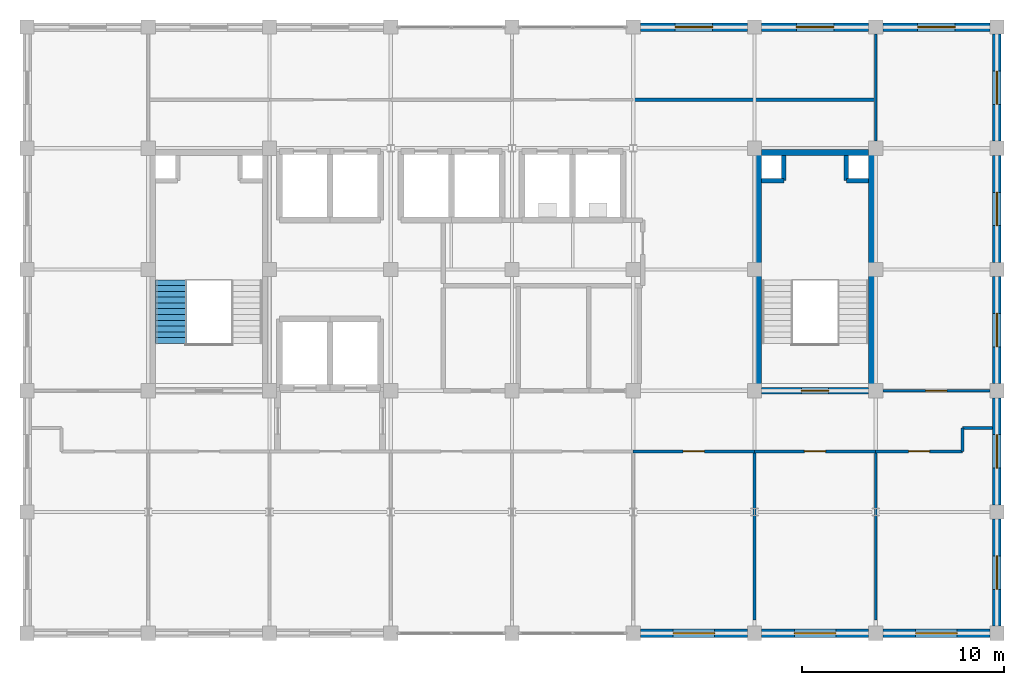
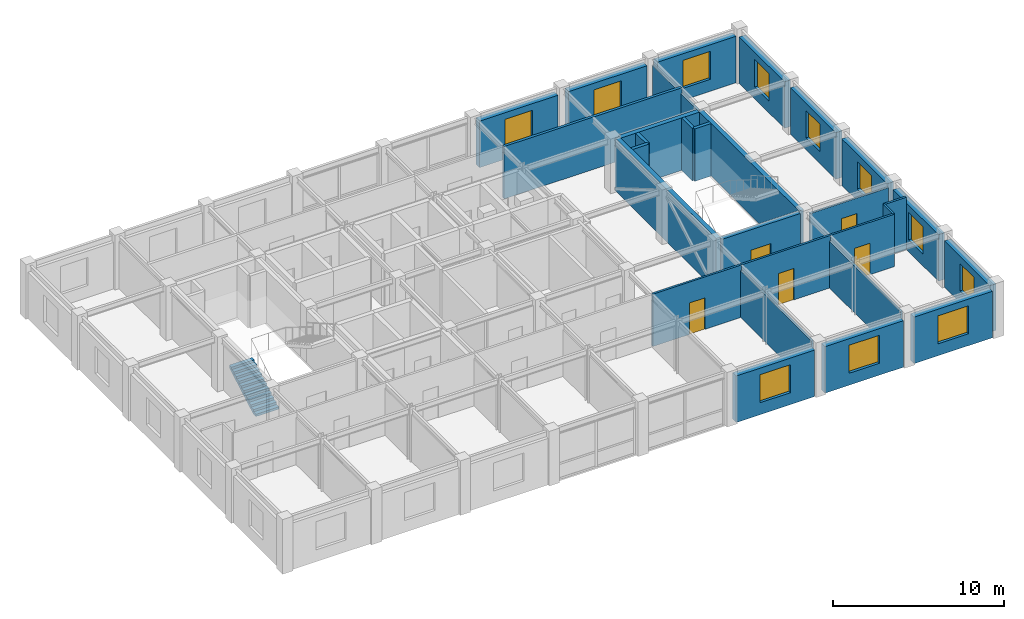
# One storey, part 10 of 12: 29 walls, 11 windows, 5 doors, 1 stair flight, 16 openings, 1 element without a shape of its own.
"""IFC4 building model written with IfcOpenShell, lengths in metres."""

from ifc_helpers import new_model, si_unit, direction, frame, frame_2d, origin, place, context, subcontext, project, spatial, polyline, rectangle, outline, extrude, material, layer, layer_set, type_object, element, fill, aggregate, save


model = new_model("IFC4")

# Units and contexts
model_context = context("Model", 3, precision=1e-05, world=origin(), true_north=direction((0.0, 1.0)))
body_context = subcontext(model_context, "Body", "Model", "MODEL_VIEW")
ifc_project = project(units=[si_unit("LENGTHUNIT", "METRE"), si_unit("AREAUNIT", "SQUARE_METRE"), si_unit("VOLUMEUNIT", "CUBIC_METRE"), si_unit("PLANEANGLEUNIT", "RADIAN"), si_unit("MASSUNIT", "GRAM", prefix="KILO")], contexts=[model_context])

# Site, building, storey
site_placement = place(None, origin())
site = spatial("IfcSite", under=ifc_project, at=site_placement, CompositionType="ELEMENT")
building_placement = place(site_placement, origin())
building = spatial("IfcBuilding", under=site, at=building_placement, Name="Zlatovratsky Civic Hall", CompositionType="ELEMENT")
storey_placement = place(building_placement, frame((0.0, 0.0, 40.5)))
storey = spatial("IfcBuildingStorey", under=building, at=storey_placement, Name="L10", CompositionType="ELEMENT", Elevation=40.5)

# Wall
ifc_material_1 = material(Name="Acoustic ceramic blockwork", Category="masonry")
ifc_layer_1 = layer(ifc_material_1, 0.179931640625)
ifc_layer_set_1 = layer_set([ifc_layer_1], Name="Acoustic ceramic blockwork")
wall_type_1 = type_object("IfcWallType", Name="Wall_AcousticChamberPartition_180", PredefinedType="PARTITIONING", material=ifc_layer_set_1)
wall_1_placement = place(storey_placement, frame((90.0, 98.39990234375, 0.0), z_axis=(0.0, 0.0, 1.0), x_axis=(1.0, 0.0, 0.0)))
element("IfcWall", 1, at=wall_1_placement, inside=storey, type_object=wall_type_1, Name="WL-6520", PredefinedType="PARTITIONING", context=body_context, shape_type="SweptSolid", body=[
    extrude(rectangle(XDim=12.0, YDim=0.179931640625, at=frame_2d((6.0, 0.0))), origin(), (0.0, 0.0, 1.0), 3.739990234375),
])

# Wall, opening, door
ifc_material_2 = material(Name="Fire-rated gypsum board framing", Category="gypsum")
ifc_layer_2 = layer(ifc_material_2, 0.139892578125)
ifc_layer_set_2 = layer_set([ifc_layer_2], Name="Fire-rated gypsum board framing")
wall_type_2 = type_object("IfcWallType", Name="Wall_OfficePartition_140", PredefinedType="PARTITIONING", material=ifc_layer_set_2)
wall_2_placement = place(storey_placement, frame((90.0, 81.0, 0.0), z_axis=(0.0, 0.0, 1.0), x_axis=(1.0, 0.0, 0.0)))
wall_2 = element("IfcWall", 2, at=wall_2_placement, inside=storey, type_object=wall_type_2, Name="WL-6494", PredefinedType="PARTITIONING", context=body_context, shape_type="SweptSolid", body=[
    extrude(rectangle(XDim=6.0, YDim=0.139892578125, at=frame_2d((3.0, 0.0))), origin(), (0.0, 0.0, 1.0), 3.739990234375),
])
opening_1_placement = place(wall_2_placement, frame((2.47509765625, 0.0, 0.0)))
opening_1 = element("IfcOpeningElement", 3, at=opening_1_placement, cuts=wall_2, Name="Opening D-24", PredefinedType="OPENING", context=body_context, shape_type="SweptSolid", body=[
    extrude(rectangle(XDim=1.050048828125, YDim=2.25, at=frame_2d((0.52490234375, 1.125))), frame((0.0, 0.0849609375, 0.0), z_axis=(0.0, -1.0, 0.0), x_axis=(1.0, 0.0, 0.0)), (0.0, 0.0, 1.0), 0.169677734375),
])
ifc_material_3 = material(Name="Solid oak joinery in steel frame", Category="steel")
door_type_1 = type_object("IfcDoorType", Name="Door_DirectorateOffice_1050x2250", OperationType="NOTDEFINED", PredefinedType="DOOR", material=ifc_material_3)
door_1_placement = place(opening_1_placement, origin())
door_1 = element("IfcDoor", 4, at=door_1_placement, inside=storey, type_object=door_type_1, Name="DR-5443", OperationType="SINGLE_SWING_RIGHT", OverallHeight=2.25, OverallWidth=1.050048828125, PredefinedType="DOOR", context=body_context, shape_type="SweptSolid", body=[
    extrude(rectangle(XDim=1.050048828125, YDim=2.25, at=frame_2d((0.52490234375, 1.125))), frame((0.0, 0.02490234375, 0.0), z_axis=(0.0, -1.0, 0.0), x_axis=(1.0, 0.0, 0.0)), (0.0, 0.0, 1.0), 0.050048828125),
])
fill(opening_1, door_1)

wall_3_placement = place(storey_placement, frame((96.0, 81.0, 0.0), z_axis=(0.0, 0.0, 1.0), x_axis=(1.0, 0.0, 0.0)))
wall_3 = element("IfcWall", 5, at=wall_3_placement, inside=storey, type_object=wall_type_2, Name="WL-6495", PredefinedType="PARTITIONING", context=body_context, shape_type="SweptSolid", body=[
    extrude(rectangle(XDim=6.0, YDim=0.139892578125, at=frame_2d((3.0, 0.0))), origin(), (0.0, 0.0, 1.0), 3.739990234375),
])
opening_2_placement = place(wall_3_placement, frame((2.47509765625, 0.0, 0.0)))
opening_2 = element("IfcOpeningElement", 6, at=opening_2_placement, cuts=wall_3, Name="Opening D-24", PredefinedType="OPENING", context=body_context, shape_type="SweptSolid", body=[
    extrude(rectangle(XDim=1.050048828125, YDim=2.25, at=frame_2d((0.52490234375, 1.125))), frame((0.0, 0.0849609375, 0.0), z_axis=(0.0, -1.0, 0.0), x_axis=(1.0, 0.0, 0.0)), (0.0, 0.0, 1.0), 0.169677734375),
])
door_2_placement = place(opening_2_placement, origin())
door_2 = element("IfcDoor", 7, at=door_2_placement, inside=storey, type_object=door_type_1, Name="DR-5444", OperationType="SINGLE_SWING_RIGHT", OverallHeight=2.25, OverallWidth=1.050048828125, PredefinedType="DOOR", context=body_context, shape_type="SweptSolid", body=[
    extrude(rectangle(XDim=1.050048828125, YDim=2.25, at=frame_2d((0.52490234375, 1.125))), frame((0.0, 0.02490234375, 0.0), z_axis=(0.0, -1.0, 0.0), x_axis=(1.0, 0.0, 0.0)), (0.0, 0.0, 1.0), 0.050048828125),
])
fill(opening_2, door_2)

wall_4_placement = place(storey_placement, frame((102.0, 81.0, 0.0), z_axis=(0.0, 0.0, 1.0), x_axis=(1.0, 0.0, 0.0)))
wall_4 = element("IfcWall", 8, at=wall_4_placement, inside=storey, type_object=wall_type_2, Name="WL-6496", PredefinedType="PARTITIONING", context=body_context, shape_type="SweptSolid", body=[
    extrude(rectangle(XDim=4.300048828125, YDim=0.139892578125, at=frame_2d((2.14990234375, 0.0))), origin(), (0.0, 0.0, 1.0), 3.739990234375),
])
opening_3_placement = place(wall_4_placement, frame((1.625, 0.0, 0.0)))
opening_3 = element("IfcOpeningElement", 9, at=opening_3_placement, cuts=wall_4, Name="Opening D-24", PredefinedType="OPENING", context=body_context, shape_type="SweptSolid", body=[
    extrude(rectangle(XDim=1.050048828125, YDim=2.25, at=frame_2d((0.52490234375, 1.125))), frame((0.0, 0.0849609375, 0.0), z_axis=(0.0, -1.0, 0.0), x_axis=(1.0, 0.0, 0.0)), (0.0, 0.0, 1.0), 0.169677734375),
])
door_3_placement = place(opening_3_placement, origin())
door_3 = element("IfcDoor", 10, at=door_3_placement, inside=storey, type_object=door_type_1, Name="DR-5445", OperationType="SINGLE_SWING_RIGHT", OverallHeight=2.25, OverallWidth=1.050048828125, PredefinedType="DOOR", context=body_context, shape_type="SweptSolid", body=[
    extrude(rectangle(XDim=1.050048828125, YDim=2.25, at=frame_2d((0.52490234375, 1.125))), frame((0.0, 0.02490234375, 0.0), z_axis=(0.0, -1.0, 0.0), x_axis=(1.0, 0.0, 0.0)), (0.0, 0.0, 1.0), 0.050048828125),
])
fill(opening_3, door_3)

wall_5_placement = place(storey_placement, frame((102.35009765625, 84.0, 0.0), z_axis=(0.0, 0.0, 1.0), x_axis=(1.0, 0.0, 0.0)))
wall_5 = element("IfcWall", 11, at=wall_5_placement, inside=storey, type_object=wall_type_2, Name="WL-6498", PredefinedType="PARTITIONING", context=body_context, shape_type="SweptSolid", body=[
    extrude(rectangle(XDim=5.2998046875, YDim=0.139892578125, at=frame_2d((2.64990234375, 0.0))), origin(), (0.0, 0.0, 1.0), 3.347900390625),
])
opening_4_placement = place(wall_5_placement, frame((2.125, 0.0, 0.0)))
opening_4 = element("IfcOpeningElement", 12, at=opening_4_placement, cuts=wall_5, Name="Opening D-24", PredefinedType="OPENING", context=body_context, shape_type="SweptSolid", body=[
    extrude(rectangle(XDim=1.050048828125, YDim=2.25, at=frame_2d((0.52490234375, 1.125))), frame((0.0, 0.0849609375, 0.0), z_axis=(0.0, -1.0, 0.0), x_axis=(1.0, 0.0, 0.0)), (0.0, 0.0, 1.0), 0.169677734375),
])
door_4_placement = place(opening_4_placement, origin())
door_4 = element("IfcDoor", 13, at=door_4_placement, inside=storey, type_object=door_type_1, Name="DR-5447", OperationType="SINGLE_SWING_LEFT", OverallHeight=2.25, OverallWidth=1.050048828125, PredefinedType="DOOR", context=body_context, shape_type="SweptSolid", body=[
    extrude(rectangle(XDim=1.050048828125, YDim=2.25, at=frame_2d((0.52490234375, 1.125))), frame((0.0, 0.02490234375, 0.0), z_axis=(0.0, -1.0, 0.0), x_axis=(1.0, 0.0, 0.0)), (0.0, 0.0, 1.0), 0.050048828125),
])
fill(opening_4, door_4)

# Walls
for number, where, z_axis, x_axis, name in (
    (14, (96.0, 72.64990234375, 0.0), (0.0, 0.0, 1.0), (0.0, 1.0, 0.0), "WL-6506"),
    (15, (102.0, 72.64990234375, 0.0), (0.0, 0.0, 1.0), (0.0, 1.0, 0.0), "WL-6507"),
):
    element("IfcWall", number, at=place(storey_placement, frame(where, z_axis=z_axis, x_axis=x_axis)), inside=storey, type_object=wall_type_2, Name=name, PredefinedType="PARTITIONING", context=body_context, shape_type="SweptSolid", body=[
        extrude(rectangle(XDim=8.35009765625, YDim=0.139892578125, at=frame_2d((4.175048828125, 0.0))), origin(), (0.0, 0.0, 1.0), 3.347900390625),
    ])
wall_6_placement = place(storey_placement, frame((106.300048828125, 81.0, 0.0), z_axis=(0.0, 0.0, 1.0), x_axis=(0.0, 1.0, 0.0)))
element("IfcWall", 16, at=wall_6_placement, inside=storey, type_object=wall_type_2, Name="WL-6516", PredefinedType="PARTITIONING", context=body_context, shape_type="SweptSolid", body=[
    extrude(rectangle(XDim=1.14990234375, YDim=0.139892578125, at=frame_2d((0.574951171875, 0.0))), origin(), (0.0, 0.0, 1.0), 3.739990234375),
])
wall_7_placement = place(storey_placement, frame((106.300048828125, 82.14990234375, 0.0), z_axis=(0.0, 0.0, 1.0), x_axis=(1.0, 0.0, 0.0)))
element("IfcWall", 17, at=wall_7_placement, inside=storey, type_object=wall_type_2, Name="WL-6517", PredefinedType="PARTITIONING", context=body_context, shape_type="SweptSolid", body=[
    extrude(rectangle(XDim=1.489990234375, YDim=0.139892578125, at=frame_2d((0.7451171875, 0.0))), origin(), (0.0, 0.0, 1.0), 3.739990234375),
])
wall_8_placement = place(storey_placement, frame((102.0, 96.35009765625, 0.0), z_axis=(0.0, 0.0, 1.0), x_axis=(0.0, 1.0, 0.0)))
element("IfcWall", 18, at=wall_8_placement, inside=storey, type_object=wall_type_2, Name="WL-6522", PredefinedType="PARTITIONING", context=body_context, shape_type="SweptSolid", body=[
    extrude(rectangle(XDim=5.2998046875, YDim=0.139892578125, at=frame_2d((2.64990234375, 0.0))), origin(), (0.0, 0.0, 1.0), 3.347900390625),
])
ifc_layer_3 = layer(ifc_material_1, 0.219970703125)
ifc_layer_set_3 = layer_set([ifc_layer_3], Name="Acoustic ceramic blockwork")
wall_type_3 = type_object("IfcWallType", Name="Wall_SanitaryWetCore_220", PredefinedType="PARTITIONING", material=ifc_layer_set_3)
wall_9_placement = place(storey_placement, frame((97.449951171875, 94.39990234375, 0.0), z_axis=(0.0, 0.0, 1.0), x_axis=(0.0, 1.0, 0.0)))
element("IfcWall", 19, at=wall_9_placement, inside=storey, type_object=wall_type_3, Name="WL-5243", PredefinedType="PARTITIONING", context=body_context, shape_type="SweptSolid", body=[
    extrude(rectangle(XDim=1.25, YDim=0.219970703125, at=frame_2d((0.625, 0.0))), origin(), (0.0, 0.0, 1.0), 3.739990234375),
])
wall_10_placement = place(storey_placement, frame((96.35009765625, 94.39990234375, 0.0), z_axis=(0.0, 0.0, 1.0), x_axis=(1.0, 0.0, 0.0)))
element("IfcWall", 20, at=wall_10_placement, inside=storey, type_object=wall_type_3, Name="WL-5244", PredefinedType="PARTITIONING", context=body_context, shape_type="SweptSolid", body=[
    extrude(rectangle(XDim=1.099853515625, YDim=0.219970703125, at=frame_2d((0.5498046875, 0.0))), origin(), (0.0, 0.0, 1.0), 3.739990234375),
])
wall_11_placement = place(storey_placement, frame((100.550048828125, 94.39990234375, 0.0), z_axis=(0.0, 0.0, 1.0), x_axis=(0.0, 1.0, 0.0)))
element("IfcWall", 21, at=wall_11_placement, inside=storey, type_object=wall_type_3, Name="WL-5245", PredefinedType="PARTITIONING", context=body_context, shape_type="SweptSolid", body=[
    extrude(rectangle(XDim=1.25, YDim=0.219970703125, at=frame_2d((0.625, 0.0))), origin(), (0.0, 0.0, 1.0), 3.739990234375),
])
wall_12_placement = place(storey_placement, frame((100.550048828125, 94.39990234375, 0.0), z_axis=(0.0, 0.0, 1.0), x_axis=(1.0, 0.0, 0.0)))
element("IfcWall", 22, at=wall_12_placement, inside=storey, type_object=wall_type_3, Name="WL-5246", PredefinedType="PARTITIONING", context=body_context, shape_type="SweptSolid", body=[
    extrude(rectangle(XDim=1.099853515625, YDim=0.219970703125, at=frame_2d((0.5498046875, 0.0))), origin(), (0.0, 0.0, 1.0), 3.739990234375),
])

# Wall, opening, door
ifc_material_4 = material(Name="Concrete C35/45 (B40)", Category="concrete")
ifc_layer_4 = layer(ifc_material_4, 0.300048828125)
ifc_layer_set_4 = layer_set([ifc_layer_4], Name="Concrete C35/45 (B40)")
wall_type_4 = type_object("IfcWallType", Name="Wall_StairAndLiftShaft_300", PredefinedType="SHEAR", material=ifc_layer_set_4)
wall_13_placement = place(storey_placement, frame((96.35009765625, 84.0, 0.0), z_axis=(0.0, 0.0, 1.0), x_axis=(1.0, 0.0, 0.0)))
wall_13 = element("IfcWall", 23, at=wall_13_placement, inside=storey, type_object=wall_type_4, Name="WL-5239", PredefinedType="SHEAR", context=body_context, shape_type="SweptSolid", body=[
    extrude(rectangle(XDim=5.2998046875, YDim=0.300048828125, at=frame_2d((2.64990234375, 0.0))), origin(), (0.0, 0.0, 1.0), 3.659912109375),
])
opening_5_placement = place(wall_13_placement, frame((1.97509765625, 0.0, 0.0)))
opening_5 = element("IfcOpeningElement", 24, at=opening_5_placement, cuts=wall_13, Name="Opening D-17", PredefinedType="OPENING", context=body_context, shape_type="SweptSolid", body=[
    extrude(rectangle(XDim=1.35009765625, YDim=2.199951171875, at=frame_2d((0.675048828125, 1.10009765625))), frame((0.0, 0.1650390625, 0.0), z_axis=(0.0, -1.0, 0.0), x_axis=(1.0, 0.0, 0.0)), (0.0, 0.0, 1.0), 0.329833984375),
])
ifc_material_5 = material(Name="Insulated painted fire-rated steel leaf", Category="steel")
door_type_2 = type_object("IfcDoorType", Name="Door_StairwellFireTower_1350x2200", OperationType="NOTDEFINED", PredefinedType="DOOR", material=ifc_material_5)
door_5_placement = place(opening_5_placement, origin())
door_5 = element("IfcDoor", 25, at=door_5_placement, inside=storey, type_object=door_type_2, Name="DR-5030", OperationType="SINGLE_SWING_LEFT", OverallHeight=2.199951171875, OverallWidth=1.35009765625, PredefinedType="DOOR", context=body_context, shape_type="SweptSolid", body=[
    extrude(rectangle(XDim=1.35009765625, YDim=2.199951171875, at=frame_2d((0.675048828125, 1.10009765625))), frame((0.0, 0.02490234375, 0.0), z_axis=(0.0, -1.0, 0.0), x_axis=(1.0, 0.0, 0.0)), (0.0, 0.0, 1.0), 0.050048828125),
])
fill(opening_5, door_5)

# Walls
wall_14_placement = place(storey_placement, frame((96.35009765625, 95.800048828125, 0.0), z_axis=(0.0, 0.0, 1.0), x_axis=(1.0, 0.0, 0.0)))
element("IfcWall", 26, at=wall_14_placement, inside=storey, type_object=wall_type_4, Name="WL-5240", PredefinedType="SHEAR", context=body_context, shape_type="SweptSolid", body=[
    extrude(rectangle(XDim=5.2998046875, YDim=0.300048828125, at=frame_2d((2.64990234375, 0.0))), origin(), (0.0, 0.0, 1.0), 3.739990234375),
])
for number, where, z_axis, x_axis, name in (
    (27, (96.199951171875, 84.0, 0.0), (0.0, 0.0, 1.0), (0.0, 1.0, 0.0), "WL-5241"),
    (28, (101.800048828125, 84.0, 0.0), (0.0, 0.0, 1.0), (0.0, 1.0, 0.0), "WL-5242"),
):
    element("IfcWall", number, at=place(storey_placement, frame(where, z_axis=z_axis, x_axis=x_axis)), inside=storey, type_object=wall_type_4, Name=name, PredefinedType="SHEAR", context=body_context, shape_type="SweptSolid", body=[
        extrude(rectangle(XDim=11.800048828125, YDim=0.300048828125, at=frame_2d((5.89990234375, 0.0))), origin(), (0.0, 0.0, 1.0), 3.739990234375),
    ])

# Wall, opening, window
ifc_layer_5 = layer(ifc_material_1, 0.280029296875, Name="Backing")
ifc_material_6 = material(Name="Podolsk limestone ashlar", Category="masonry")
ifc_layer_6 = layer(ifc_material_6, 0.139892578125, Name="Finish")
ifc_layer_set_5 = layer_set([ifc_layer_5, ifc_layer_6], Name="Acoustic ceramic blockwork")
wall_type_5 = type_object("IfcWallType", Name="Wall_TowerLimestoneAshlar_420", PredefinedType="SOLIDWALL", material=ifc_layer_set_5)
wall_15_placement = place(storey_placement, frame((90.35009765625, 72.0, 0.0), z_axis=(0.0, 0.0, 1.0), x_axis=(1.0, 0.0, 0.0)))
wall_15 = element("IfcWall", 29, at=wall_15_placement, inside=storey, type_object=wall_type_5, Name="WL-0526", PredefinedType="SOLIDWALL", context=body_context, shape_type="SweptSolid", body=[
    extrude(rectangle(XDim=5.2998046875, YDim=0.419921875, at=frame_2d((2.64990234375, 0.0))), origin(), (0.0, 0.0, 1.0), 3.320068359375),
])
opening_6_placement = place(wall_15_placement, frame((1.625, 0.0, 0.85009765625)))
opening_6 = element("IfcOpeningElement", 30, at=opening_6_placement, cuts=wall_15, Name="Opening WN-17", PredefinedType="OPENING", context=body_context, shape_type="SweptSolid", body=[
    extrude(rectangle(XDim=2.050048828125, YDim=2.0, at=frame_2d((1.02490234375, 1.0))), frame((0.0, 0.224853515625, 0.0), z_axis=(0.0, -1.0, 0.0), x_axis=(1.0, 0.0, 0.0)), (0.0, 0.0, 1.0), 0.44970703125),
])
ifc_material_7 = material(Name="Low-E laminated double glazing", Category="glass")
window_type_1 = type_object("IfcWindowType", Name="Window_TowerTier2South_2050x2000", PartitioningType="SINGLE_PANEL", PredefinedType="WINDOW", material=ifc_material_7)
window_1_placement = place(opening_6_placement, origin())
window_1 = element("IfcWindow", 31, at=window_1_placement, inside=storey, type_object=window_type_1, Name="WN-0400", OverallHeight=2.0, OverallWidth=2.050048828125, PartitioningType="SINGLE_PANEL", PredefinedType="WINDOW", context=body_context, shape_type="SweptSolid", body=[
    extrude(rectangle(XDim=2.050048828125, YDim=2.0, at=frame_2d((1.02490234375, 1.0))), frame((0.0, 0.030029296875, 0.0), z_axis=(0.0, -1.0, 0.0), x_axis=(1.0, 0.0, 0.0)), (0.0, 0.0, 1.0), 0.06005859375),
])
fill(opening_6, window_1)

wall_16_placement = place(storey_placement, frame((96.35009765625, 72.0, 0.0), z_axis=(0.0, 0.0, 1.0), x_axis=(1.0, 0.0, 0.0)))
wall_16 = element("IfcWall", 32, at=wall_16_placement, inside=storey, type_object=wall_type_5, Name="WL-0527", PredefinedType="SOLIDWALL", context=body_context, shape_type="SweptSolid", body=[
    extrude(rectangle(XDim=5.2998046875, YDim=0.419921875, at=frame_2d((2.64990234375, 0.0))), origin(), (0.0, 0.0, 1.0), 3.320068359375),
])
opening_7_placement = place(wall_16_placement, frame((1.625, 0.0, 0.85009765625)))
opening_7 = element("IfcOpeningElement", 33, at=opening_7_placement, cuts=wall_16, Name="Opening WN-17", PredefinedType="OPENING", context=body_context, shape_type="SweptSolid", body=[
    extrude(rectangle(XDim=2.050048828125, YDim=2.0, at=frame_2d((1.02490234375, 1.0))), frame((0.0, 0.224853515625, 0.0), z_axis=(0.0, -1.0, 0.0), x_axis=(1.0, 0.0, 0.0)), (0.0, 0.0, 1.0), 0.44970703125),
])
window_2_placement = place(opening_7_placement, origin())
window_2 = element("IfcWindow", 34, at=window_2_placement, inside=storey, type_object=window_type_1, Name="WN-0401", OverallHeight=2.0, OverallWidth=2.050048828125, PartitioningType="SINGLE_PANEL", PredefinedType="WINDOW", context=body_context, shape_type="SweptSolid", body=[
    extrude(rectangle(XDim=2.050048828125, YDim=2.0, at=frame_2d((1.02490234375, 1.0))), frame((0.0, 0.030029296875, 0.0), z_axis=(0.0, -1.0, 0.0), x_axis=(1.0, 0.0, 0.0)), (0.0, 0.0, 1.0), 0.06005859375),
])
fill(opening_7, window_2)

wall_17_placement = place(storey_placement, frame((102.35009765625, 72.0, 0.0), z_axis=(0.0, 0.0, 1.0), x_axis=(1.0, 0.0, 0.0)))
wall_17 = element("IfcWall", 35, at=wall_17_placement, inside=storey, type_object=wall_type_5, Name="WL-0528", PredefinedType="SOLIDWALL", context=body_context, shape_type="SweptSolid", body=[
    extrude(rectangle(XDim=5.2998046875, YDim=0.419921875, at=frame_2d((2.64990234375, 0.0))), origin(), (0.0, 0.0, 1.0), 3.320068359375),
])
opening_8_placement = place(wall_17_placement, frame((1.625, 0.0, 0.85009765625)))
opening_8 = element("IfcOpeningElement", 36, at=opening_8_placement, cuts=wall_17, Name="Opening WN-17", PredefinedType="OPENING", context=body_context, shape_type="SweptSolid", body=[
    extrude(rectangle(XDim=2.050048828125, YDim=2.0, at=frame_2d((1.02490234375, 1.0))), frame((0.0, 0.224853515625, 0.0), z_axis=(0.0, -1.0, 0.0), x_axis=(1.0, 0.0, 0.0)), (0.0, 0.0, 1.0), 0.44970703125),
])
window_3_placement = place(opening_8_placement, origin())
window_3 = element("IfcWindow", 37, at=window_3_placement, inside=storey, type_object=window_type_1, Name="WN-0402", OverallHeight=2.0, OverallWidth=2.050048828125, PartitioningType="SINGLE_PANEL", PredefinedType="WINDOW", context=body_context, shape_type="SweptSolid", body=[
    extrude(rectangle(XDim=2.050048828125, YDim=2.0, at=frame_2d((1.02490234375, 1.0))), frame((0.0, 0.030029296875, 0.0), z_axis=(0.0, -1.0, 0.0), x_axis=(1.0, 0.0, 0.0)), (0.0, 0.0, 1.0), 0.06005859375),
])
fill(opening_8, window_3)

wall_18_placement = place(storey_placement, frame((90.35009765625, 102.0, 0.0), z_axis=(0.0, 0.0, 1.0), x_axis=(1.0, 0.0, 0.0)))
wall_18 = element("IfcWall", 38, at=wall_18_placement, inside=storey, type_object=wall_type_5, Name="WL-0532", PredefinedType="SOLIDWALL", context=body_context, shape_type="SweptSolid", body=[
    extrude(rectangle(XDim=5.2998046875, YDim=0.419921875, at=frame_2d((2.64990234375, 0.0))), origin(), (0.0, 0.0, 1.0), 3.320068359375),
])
opening_9_placement = place(wall_18_placement, frame((1.72509765625, 0.0, 0.85009765625)))
opening_9 = element("IfcOpeningElement", 39, at=opening_9_placement, cuts=wall_18, Name="Opening WN-18", PredefinedType="OPENING", context=body_context, shape_type="SweptSolid", body=[
    extrude(rectangle(XDim=1.85009765625, YDim=2.0, at=frame_2d((0.925048828125, 1.0))), frame((0.0, 0.224853515625, 0.0), z_axis=(0.0, -1.0, 0.0), x_axis=(1.0, 0.0, 0.0)), (0.0, 0.0, 1.0), 0.44970703125),
])
window_type_2 = type_object("IfcWindowType", Name="Window_TowerTier2North_1850x2000", PartitioningType="SINGLE_PANEL", PredefinedType="WINDOW", material=ifc_material_7)
window_4_placement = place(opening_9_placement, origin())
window_4 = element("IfcWindow", 40, at=window_4_placement, inside=storey, type_object=window_type_2, Name="WN-0406", OverallHeight=2.0, OverallWidth=1.85009765625, PartitioningType="SINGLE_PANEL", PredefinedType="WINDOW", context=body_context, shape_type="SweptSolid", body=[
    extrude(rectangle(XDim=1.85009765625, YDim=2.0, at=frame_2d((0.925048828125, 1.0))), frame((0.0, 0.030029296875, 0.0), z_axis=(0.0, -1.0, 0.0), x_axis=(1.0, 0.0, 0.0)), (0.0, 0.0, 1.0), 0.06005859375),
])
fill(opening_9, window_4)

wall_19_placement = place(storey_placement, frame((96.35009765625, 102.0, 0.0), z_axis=(0.0, 0.0, 1.0), x_axis=(1.0, 0.0, 0.0)))
wall_19 = element("IfcWall", 41, at=wall_19_placement, inside=storey, type_object=wall_type_5, Name="WL-0533", PredefinedType="SOLIDWALL", context=body_context, shape_type="SweptSolid", body=[
    extrude(rectangle(XDim=5.2998046875, YDim=0.419921875, at=frame_2d((2.64990234375, 0.0))), origin(), (0.0, 0.0, 1.0), 3.320068359375),
])
opening_10_placement = place(wall_19_placement, frame((1.72509765625, 0.0, 0.85009765625)))
opening_10 = element("IfcOpeningElement", 42, at=opening_10_placement, cuts=wall_19, Name="Opening WN-18", PredefinedType="OPENING", context=body_context, shape_type="SweptSolid", body=[
    extrude(rectangle(XDim=1.85009765625, YDim=2.0, at=frame_2d((0.925048828125, 1.0))), frame((0.0, 0.224853515625, 0.0), z_axis=(0.0, -1.0, 0.0), x_axis=(1.0, 0.0, 0.0)), (0.0, 0.0, 1.0), 0.44970703125),
])
window_5_placement = place(opening_10_placement, origin())
window_5 = element("IfcWindow", 43, at=window_5_placement, inside=storey, type_object=window_type_2, Name="WN-0407", OverallHeight=2.0, OverallWidth=1.85009765625, PartitioningType="SINGLE_PANEL", PredefinedType="WINDOW", context=body_context, shape_type="SweptSolid", body=[
    extrude(rectangle(XDim=1.85009765625, YDim=2.0, at=frame_2d((0.925048828125, 1.0))), frame((0.0, 0.030029296875, 0.0), z_axis=(0.0, -1.0, 0.0), x_axis=(1.0, 0.0, 0.0)), (0.0, 0.0, 1.0), 0.06005859375),
])
fill(opening_10, window_5)

wall_20_placement = place(storey_placement, frame((102.35009765625, 102.0, 0.0), z_axis=(0.0, 0.0, 1.0), x_axis=(1.0, 0.0, 0.0)))
wall_20 = element("IfcWall", 44, at=wall_20_placement, inside=storey, type_object=wall_type_5, Name="WL-0534", PredefinedType="SOLIDWALL", context=body_context, shape_type="SweptSolid", body=[
    extrude(rectangle(XDim=5.2998046875, YDim=0.419921875, at=frame_2d((2.64990234375, 0.0))), origin(), (0.0, 0.0, 1.0), 3.320068359375),
])
opening_11_placement = place(wall_20_placement, frame((1.72509765625, 0.0, 0.85009765625)))
opening_11 = element("IfcOpeningElement", 45, at=opening_11_placement, cuts=wall_20, Name="Opening WN-18", PredefinedType="OPENING", context=body_context, shape_type="SweptSolid", body=[
    extrude(rectangle(XDim=1.85009765625, YDim=2.0, at=frame_2d((0.925048828125, 1.0))), frame((0.0, 0.224853515625, 0.0), z_axis=(0.0, -1.0, 0.0), x_axis=(1.0, 0.0, 0.0)), (0.0, 0.0, 1.0), 0.44970703125),
])
window_6_placement = place(opening_11_placement, origin())
window_6 = element("IfcWindow", 46, at=window_6_placement, inside=storey, type_object=window_type_2, Name="WN-0408", OverallHeight=2.0, OverallWidth=1.85009765625, PartitioningType="SINGLE_PANEL", PredefinedType="WINDOW", context=body_context, shape_type="SweptSolid", body=[
    extrude(rectangle(XDim=1.85009765625, YDim=2.0, at=frame_2d((0.925048828125, 1.0))), frame((0.0, 0.030029296875, 0.0), z_axis=(0.0, -1.0, 0.0), x_axis=(1.0, 0.0, 0.0)), (0.0, 0.0, 1.0), 0.06005859375),
])
fill(opening_11, window_6)

wall_21_placement = place(storey_placement, frame((108.0, 72.35009765625, 0.0), z_axis=(0.0, 0.0, 1.0), x_axis=(0.0, 1.0, 0.0)))
wall_21 = element("IfcWall", 47, at=wall_21_placement, inside=storey, type_object=wall_type_5, Name="WL-0540", PredefinedType="SOLIDWALL", context=body_context, shape_type="SweptSolid", body=[
    extrude(rectangle(XDim=5.2998046875, YDim=0.419921875, at=frame_2d((2.64990234375, 0.0))), origin(), (0.0, 0.0, 1.0), 3.320068359375),
])
opening_12_placement = place(wall_21_placement, frame((1.824951171875, 0.0, 0.85009765625)))
opening_12 = element("IfcOpeningElement", 48, at=opening_12_placement, cuts=wall_21, Name="Opening WN-19", PredefinedType="OPENING", context=body_context, shape_type="SweptSolid", body=[
    extrude(rectangle(XDim=1.64990234375, YDim=1.949951171875, at=frame_2d((0.824951171875, 0.97509765625))), frame((0.0, 0.224853515625, 0.0), z_axis=(0.0, -1.0, 0.0), x_axis=(1.0, 0.0, 0.0)), (0.0, 0.0, 1.0), 0.44970703125),
])
window_type_3 = type_object("IfcWindowType", Name="Window_TowerTier2Flank_1650x1950", PartitioningType="SINGLE_PANEL", PredefinedType="WINDOW", material=ifc_material_7)
window_7_placement = place(opening_12_placement, origin())
window_7 = element("IfcWindow", 49, at=window_7_placement, inside=storey, type_object=window_type_3, Name="WN-0414", OverallHeight=1.949951171875, OverallWidth=1.64990234375, PartitioningType="SINGLE_PANEL", PredefinedType="WINDOW", context=body_context, shape_type="SweptSolid", body=[
    extrude(rectangle(XDim=1.64990234375, YDim=1.949951171875, at=frame_2d((0.824951171875, 0.97509765625))), frame((0.0, 0.030029296875, 0.0), z_axis=(0.0, -1.0, 0.0), x_axis=(1.0, 0.0, 0.0)), (0.0, 0.0, 1.0), 0.06005859375),
])
fill(opening_12, window_7)

wall_22_placement = place(storey_placement, frame((108.0, 78.35009765625, 0.0), z_axis=(0.0, 0.0, 1.0), x_axis=(0.0, 1.0, 0.0)))
wall_22 = element("IfcWall", 50, at=wall_22_placement, inside=storey, type_object=wall_type_5, Name="WL-0541", PredefinedType="SOLIDWALL", context=body_context, shape_type="SweptSolid", body=[
    extrude(rectangle(XDim=5.2998046875, YDim=0.419921875, at=frame_2d((2.64990234375, 0.0))), origin(), (0.0, 0.0, 1.0), 3.320068359375),
])
opening_13_placement = place(wall_22_placement, frame((1.824951171875, 0.0, 0.85009765625)))
opening_13 = element("IfcOpeningElement", 51, at=opening_13_placement, cuts=wall_22, Name="Opening WN-19", PredefinedType="OPENING", context=body_context, shape_type="SweptSolid", body=[
    extrude(rectangle(XDim=1.64990234375, YDim=1.949951171875, at=frame_2d((0.824951171875, 0.97509765625))), frame((0.0, 0.224853515625, 0.0), z_axis=(0.0, -1.0, 0.0), x_axis=(1.0, 0.0, 0.0)), (0.0, 0.0, 1.0), 0.44970703125),
])
window_8_placement = place(opening_13_placement, origin())
window_8 = element("IfcWindow", 52, at=window_8_placement, inside=storey, type_object=window_type_3, Name="WN-0415", OverallHeight=1.949951171875, OverallWidth=1.64990234375, PartitioningType="SINGLE_PANEL", PredefinedType="WINDOW", context=body_context, shape_type="SweptSolid", body=[
    extrude(rectangle(XDim=1.64990234375, YDim=1.949951171875, at=frame_2d((0.824951171875, 0.97509765625))), frame((0.0, 0.030029296875, 0.0), z_axis=(0.0, -1.0, 0.0), x_axis=(1.0, 0.0, 0.0)), (0.0, 0.0, 1.0), 0.06005859375),
])
fill(opening_13, window_8)

wall_23_placement = place(storey_placement, frame((108.0, 84.35009765625, 0.0), z_axis=(0.0, 0.0, 1.0), x_axis=(0.0, 1.0, 0.0)))
wall_23 = element("IfcWall", 53, at=wall_23_placement, inside=storey, type_object=wall_type_5, Name="WL-0542", PredefinedType="SOLIDWALL", context=body_context, shape_type="SweptSolid", body=[
    extrude(rectangle(XDim=5.2998046875, YDim=0.419921875, at=frame_2d((2.64990234375, 0.0))), origin(), (0.0, 0.0, 1.0), 3.320068359375),
])
opening_14_placement = place(wall_23_placement, frame((1.824951171875, 0.0, 0.85009765625)))
opening_14 = element("IfcOpeningElement", 54, at=opening_14_placement, cuts=wall_23, Name="Opening WN-19", PredefinedType="OPENING", context=body_context, shape_type="SweptSolid", body=[
    extrude(rectangle(XDim=1.64990234375, YDim=1.949951171875, at=frame_2d((0.824951171875, 0.97509765625))), frame((0.0, 0.224853515625, 0.0), z_axis=(0.0, -1.0, 0.0), x_axis=(1.0, 0.0, 0.0)), (0.0, 0.0, 1.0), 0.44970703125),
])
window_9_placement = place(opening_14_placement, origin())
window_9 = element("IfcWindow", 55, at=window_9_placement, inside=storey, type_object=window_type_3, Name="WN-0416", OverallHeight=1.949951171875, OverallWidth=1.64990234375, PartitioningType="SINGLE_PANEL", PredefinedType="WINDOW", context=body_context, shape_type="SweptSolid", body=[
    extrude(rectangle(XDim=1.64990234375, YDim=1.949951171875, at=frame_2d((0.824951171875, 0.97509765625))), frame((0.0, 0.030029296875, 0.0), z_axis=(0.0, -1.0, 0.0), x_axis=(1.0, 0.0, 0.0)), (0.0, 0.0, 1.0), 0.06005859375),
])
fill(opening_14, window_9)

wall_24_placement = place(storey_placement, frame((108.0, 90.35009765625, 0.0), z_axis=(0.0, 0.0, 1.0), x_axis=(0.0, 1.0, 0.0)))
wall_24 = element("IfcWall", 56, at=wall_24_placement, inside=storey, type_object=wall_type_5, Name="WL-0543", PredefinedType="SOLIDWALL", context=body_context, shape_type="SweptSolid", body=[
    extrude(rectangle(XDim=5.2998046875, YDim=0.419921875, at=frame_2d((2.64990234375, 0.0))), origin(), (0.0, 0.0, 1.0), 3.320068359375),
])
opening_15_placement = place(wall_24_placement, frame((1.824951171875, 0.0, 0.85009765625)))
opening_15 = element("IfcOpeningElement", 57, at=opening_15_placement, cuts=wall_24, Name="Opening WN-19", PredefinedType="OPENING", context=body_context, shape_type="SweptSolid", body=[
    extrude(rectangle(XDim=1.64990234375, YDim=1.949951171875, at=frame_2d((0.824951171875, 0.97509765625))), frame((0.0, 0.224853515625, 0.0), z_axis=(0.0, -1.0, 0.0), x_axis=(1.0, 0.0, 0.0)), (0.0, 0.0, 1.0), 0.44970703125),
])
window_10_placement = place(opening_15_placement, origin())
window_10 = element("IfcWindow", 58, at=window_10_placement, inside=storey, type_object=window_type_3, Name="WN-0417", OverallHeight=1.949951171875, OverallWidth=1.64990234375, PartitioningType="SINGLE_PANEL", PredefinedType="WINDOW", context=body_context, shape_type="SweptSolid", body=[
    extrude(rectangle(XDim=1.64990234375, YDim=1.949951171875, at=frame_2d((0.824951171875, 0.97509765625))), frame((0.0, 0.030029296875, 0.0), z_axis=(0.0, -1.0, 0.0), x_axis=(1.0, 0.0, 0.0)), (0.0, 0.0, 1.0), 0.06005859375),
])
fill(opening_15, window_10)

wall_25_placement = place(storey_placement, frame((108.0, 96.35009765625, 0.0), z_axis=(0.0, 0.0, 1.0), x_axis=(0.0, 1.0, 0.0)))
wall_25 = element("IfcWall", 59, at=wall_25_placement, inside=storey, type_object=wall_type_5, Name="WL-0544", PredefinedType="SOLIDWALL", context=body_context, shape_type="SweptSolid", body=[
    extrude(rectangle(XDim=5.2998046875, YDim=0.419921875, at=frame_2d((2.64990234375, 0.0))), origin(), (0.0, 0.0, 1.0), 3.320068359375),
])
opening_16_placement = place(wall_25_placement, frame((1.824951171875, 0.0, 0.85009765625)))
opening_16 = element("IfcOpeningElement", 60, at=opening_16_placement, cuts=wall_25, Name="Opening WN-19", PredefinedType="OPENING", context=body_context, shape_type="SweptSolid", body=[
    extrude(rectangle(XDim=1.64990234375, YDim=1.949951171875, at=frame_2d((0.824951171875, 0.97509765625))), frame((0.0, 0.224853515625, 0.0), z_axis=(0.0, -1.0, 0.0), x_axis=(1.0, 0.0, 0.0)), (0.0, 0.0, 1.0), 0.44970703125),
])
window_11_placement = place(opening_16_placement, origin())
window_11 = element("IfcWindow", 61, at=window_11_placement, inside=storey, type_object=window_type_3, Name="WN-0418", OverallHeight=1.949951171875, OverallWidth=1.64990234375, PartitioningType="SINGLE_PANEL", PredefinedType="WINDOW", context=body_context, shape_type="SweptSolid", body=[
    extrude(rectangle(XDim=1.64990234375, YDim=1.949951171875, at=frame_2d((0.824951171875, 0.97509765625))), frame((0.0, 0.030029296875, 0.0), z_axis=(0.0, -1.0, 0.0), x_axis=(1.0, 0.0, 0.0)), (0.0, 0.0, 1.0), 0.06005859375),
])
fill(opening_16, window_11)

# Stair, stair flight
ifc_material_8 = material(Name="Concrete C30/37 (B35)", Category="concrete")
stair_type = type_object("IfcStairType", Name="Stair_HALF_24R_1550W_04", PredefinedType="HALF_TURN_STAIR", material=ifc_material_8)
stair_placement = place(storey_placement, origin())
stair = element("IfcStair", 62, at=stair_placement, inside=storey, type_object=stair_type, Name="ST-011", PredefinedType="HALF_TURN_STAIR")
stair_flight_type = type_object("IfcStairFlightType", Name="StairFlight_12R_1550W_04", PredefinedType="STRAIGHT", material=ifc_material_8)
stair_flight_placement = place(storey_placement, frame((67.125, 86.35009765625, 0.0), z_axis=(0.0, 0.0, 1.0), x_axis=(0.0, 1.0, 0.0)))
stair_flight = element("IfcStairFlight", 63, at=stair_flight_placement, type_object=stair_flight_type, Name="ST-011-F1", NumberOfRisers=12, NumberOfTreads=11, PredefinedType="STRAIGHT", RiserHeight=0.1625, TreadLength=0.285, context=body_context, shape_type="SweptSolid", body=[
    extrude(outline(polyline([(0.0, 0.0), (0.0, 0.16259765625), (0.284912109375, 0.16259765625), (0.284912109375, 0.324951171875), (0.570068359375, 0.324951171875), (0.570068359375, 0.487548828125), (0.85498046875, 0.487548828125), (0.85498046875, 0.64990234375), (1.139892578125, 0.64990234375), (1.139892578125, 0.8125), (1.425048828125, 0.8125), (1.425048828125, 0.97509765625), (1.7099609375, 0.97509765625), (1.7099609375, 1.137451171875), (1.9951171875, 1.137451171875), (1.9951171875, 1.300048828125), (2.280029296875, 1.300048828125), (2.280029296875, 1.46240234375), (2.56494140625, 1.46240234375), (2.56494140625, 1.625), (2.85009765625, 1.625), (2.85009765625, 1.78759765625), (3.135009765625, 1.78759765625), (3.135009765625, 1.949951171875), (3.135009765625, 1.580322265625), (0.36328125, 0.0), (0.0, 0.0)])), frame((0.0, 0.77490234375, 0.0), z_axis=(0.0, -1.0, 0.0), x_axis=(1.0, 0.0, 0.0)), (0.0, 0.0, 1.0), 1.550048828125),
])
aggregate(stair, [stair_flight])

save(model, "model.ifc")
